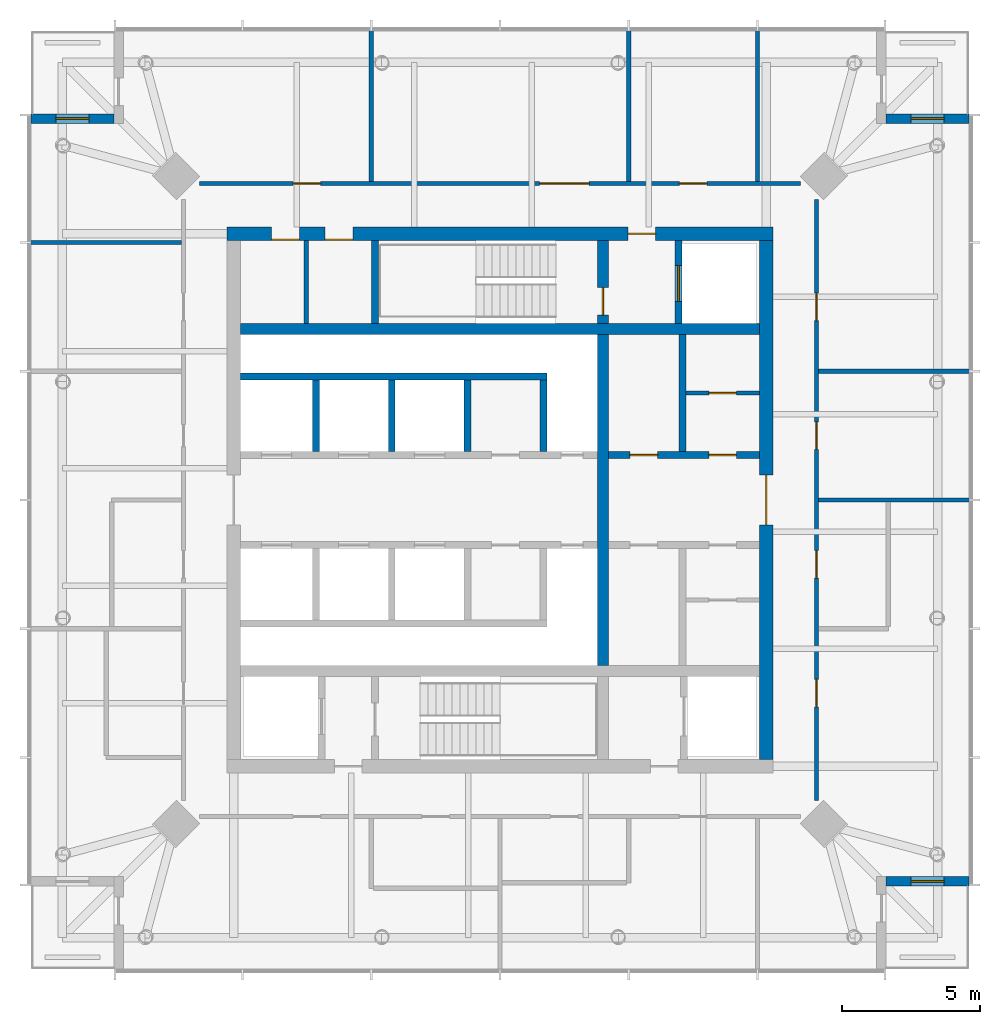
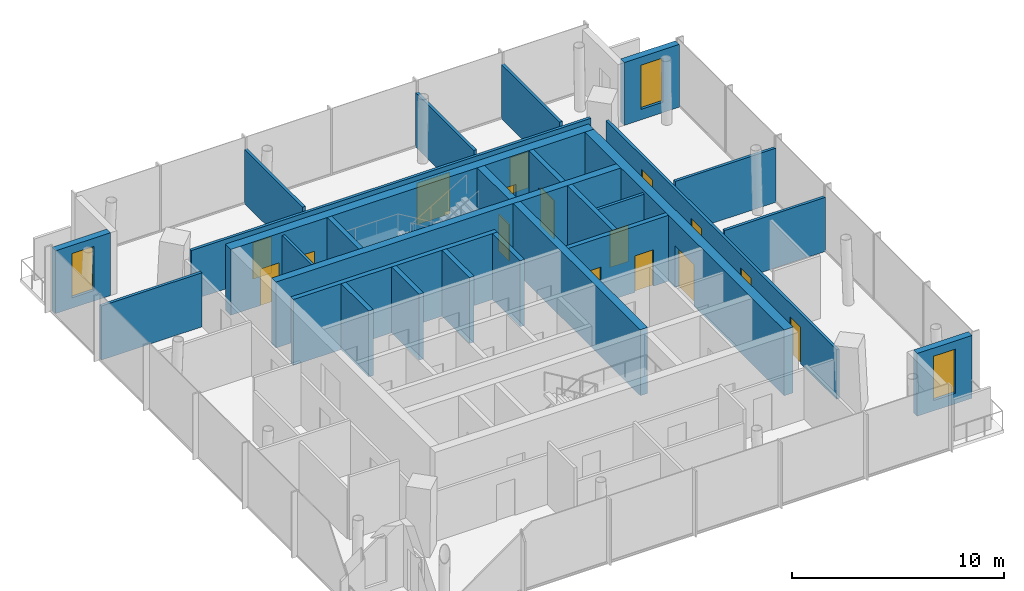
# One storey, part 5 of 7: 27 walls, 16 doors, 3 windows, 19 openings.
"""IFC4 building model written with IfcOpenShell, lengths in metres."""

from ifc_helpers import new_model, si_unit, direction, frame, frame_2d, origin, place, context, subcontext, project, spatial, rectangle, extrude, material, layer, layer_set, type_object, element, fill, save


model = new_model("IFC4")

# Units and contexts
model_context = context("Model", 3, precision=1e-05, world=origin(), true_north=direction((0.0, 1.0)))
body_context = subcontext(model_context, "Body", "Model", "MODEL_VIEW")
ifc_project = project(units=[si_unit("LENGTHUNIT", "METRE"), si_unit("AREAUNIT", "SQUARE_METRE"), si_unit("VOLUMEUNIT", "CUBIC_METRE"), si_unit("PLANEANGLEUNIT", "RADIAN"), si_unit("MASSUNIT", "GRAM", prefix="KILO")], contexts=[model_context])

# Site, building, storey
site_placement = place(None, origin())
site = spatial("IfcSite", under=ifc_project, at=site_placement, CompositionType="ELEMENT")
building_placement = place(site_placement, origin())
building = spatial("IfcBuilding", under=site, at=building_placement, Name="Ostroluk Exchange", CompositionType="ELEMENT")
storey_placement = place(building_placement, frame((0.0, 0.0, 275.60009765625)))
storey = spatial("IfcBuildingStorey", under=building, at=storey_placement, Name="L71", CompositionType="ELEMENT", Elevation=275.60009765625)

# Wall
ifc_material_1 = material(Name="Concrete blockwork", Category="masonry")
ifc_layer_1 = layer(ifc_material_1, 0.14990234375)
ifc_layer_set_1 = layer_set([ifc_layer_1], Name="Blockwork plant room wall 150")
wall_type_1 = type_object("IfcWallType", Name="Blockwork plant room wall 150", PredefinedType="SOLIDWALL", material=ifc_layer_set_1)
wall_1_placement = place(storey_placement, frame((37.97509765625, 52.39990234375, 0.0), z_axis=(0.0, 0.0, 1.0), x_axis=(0.0, 1.0, 0.0)))
element("IfcWall", 1, at=wall_1_placement, inside=storey, type_object=wall_type_1, Name="Core room wall", PredefinedType="SOLIDWALL", context=body_context, shape_type="SweptSolid", body=[
    extrude(rectangle(XDim=3.0, YDim=0.14990234375, at=frame_2d((1.5, 0.0))), origin(), (0.0, 0.0, 1.0), 3.619873046875),
])

# Wall, opening, door
wall_2_placement = place(storey_placement, frame((51.739990234375, 49.875, 0.0), z_axis=(0.0, 0.0, 1.0), x_axis=(1.0, 0.0, 0.0)))
wall_2 = element("IfcWall", 2, at=wall_2_placement, inside=storey, type_object=wall_type_1, Name="Core room wall", PredefinedType="SOLIDWALL", context=body_context, shape_type="SweptSolid", body=[
    extrude(rectangle(XDim=2.659912109375, YDim=0.14990234375, at=frame_2d((1.330078125, 0.0))), origin(), (0.0, 0.0, 1.0), 3.619873046875),
])
opening_1_placement = place(wall_2_placement, frame((0.830078125, 0.0, 0.0)))
opening_1 = element("IfcOpeningElement", 3, at=opening_1_placement, cuts=wall_2, Name="Opening FD60", PredefinedType="OPENING", context=body_context, shape_type="SweptSolid", body=[
    extrude(rectangle(XDim=1.0, YDim=2.10009765625, at=frame_2d((0.5, 1.050048828125))), frame((0.0, 0.0849609375, 0.0), z_axis=(0.0, -1.0, 0.0), x_axis=(1.0, 0.0, 0.0)), (0.0, 0.0, 1.0), 0.169921875),
])
ifc_material_2 = material(Name="Steel", Category="steel")
door_type_1 = type_object("IfcDoorType", Name="Fire door EI 60 1000 x 2100", OperationType="SINGLE_SWING_LEFT", PredefinedType="DOOR", material=ifc_material_2)
door_1_placement = place(opening_1_placement, origin())
door_1 = element("IfcDoor", 4, at=door_1_placement, inside=storey, type_object=door_type_1, Name="Store door", OperationType="SINGLE_SWING_RIGHT", OverallHeight=2.10009765625, OverallWidth=1.0, PredefinedType="DOOR", context=body_context, shape_type="SweptSolid", body=[
    extrude(rectangle(XDim=1.0, YDim=2.10009765625, at=frame_2d((0.5, 1.050048828125))), frame((0.0, 0.02490234375, 0.0), z_axis=(0.0, -1.0, 0.0), x_axis=(1.0, 0.0, 0.0)), (0.0, 0.0, 1.0), 0.050048828125),
])
fill(opening_1, door_1)

# Walls
ifc_material_3 = material(Name="Concrete C50/60", Category="concrete")
ifc_layer_2 = layer(ifc_material_3, 0.39990234375)
ifc_layer_set_2 = layer_set([ifc_layer_2], Name="Core cross wall 400 C50/60")
wall_type_2 = type_object("IfcWallType", Name="Core cross wall 400 C50/60", PredefinedType="SHEAR", material=ifc_layer_set_2)
wall_3_placement = place(storey_placement, frame((35.60009765625, 52.199951171875, 0.0), z_axis=(0.0, 0.0, 1.0), x_axis=(1.0, 0.0, 0.0)))
element("IfcWall", 5, at=wall_3_placement, inside=storey, type_object=wall_type_2, Name="T1 core wall XN", PredefinedType="SHEAR", context=body_context, shape_type="SweptSolid", body=[
    extrude(rectangle(XDim=18.7998046875, YDim=0.39990234375, at=frame_2d((9.39990234375, 0.0))), origin(), (0.0, 0.0, 1.0), 3.7998046875),
])
wall_4_placement = place(storey_placement, frame((48.72998046875, 40.0, 0.0), z_axis=(0.0, 0.0, 1.0), x_axis=(0.0, 1.0, 0.0)))
element("IfcWall", 6, at=wall_4_placement, inside=storey, type_object=wall_type_2, Name="T1 core wall YE2", PredefinedType="SHEAR", context=body_context, shape_type="SweptSolid", body=[
    extrude(rectangle(XDim=12.0, YDim=0.39990234375, at=frame_2d((6.0, 0.0))), origin(), (0.0, 0.0, 1.0), 3.7998046875),
])

# Wall, opening, door
wall_5_placement = place(storey_placement, frame((48.72998046875, 52.39990234375, 0.0), z_axis=(0.0, 0.0, 1.0), x_axis=(0.0, 1.0, 0.0)))
wall_5 = element("IfcWall", 7, at=wall_5_placement, inside=storey, type_object=wall_type_2, Name="T1 core wall YE3", PredefinedType="SHEAR", context=body_context, shape_type="SweptSolid", body=[
    extrude(rectangle(XDim=3.0, YDim=0.39990234375, at=frame_2d((1.5, 0.0))), origin(), (0.0, 0.0, 1.0), 3.7998046875),
])
opening_2_placement = place(wall_5_placement, frame((0.300048828125, 0.0, 0.0)))
opening_2 = element("IfcOpeningElement", 8, at=opening_2_placement, cuts=wall_5, Name="Opening FD60", PredefinedType="OPENING", context=body_context, shape_type="SweptSolid", body=[
    extrude(rectangle(XDim=1.0, YDim=2.10009765625, at=frame_2d((0.5, 1.050048828125))), frame((0.0, 0.2099609375, 0.0), z_axis=(0.0, -1.0, 0.0), x_axis=(1.0, 0.0, 0.0)), (0.0, 0.0, 1.0), 0.419921875),
])
door_2_placement = place(opening_2_placement, origin())
door_2 = element("IfcDoor", 9, at=door_2_placement, inside=storey, type_object=door_type_1, Name="Stair T1-S2 door", OperationType="SINGLE_SWING_LEFT", OverallHeight=2.10009765625, OverallWidth=1.0, PredefinedType="DOOR", context=body_context, shape_type="SweptSolid", body=[
    extrude(rectangle(XDim=1.0, YDim=2.10009765625, at=frame_2d((0.5, 1.050048828125))), frame((0.0, 0.02490234375, 0.0), z_axis=(0.0, -1.0, 0.0), x_axis=(1.0, 0.0, 0.0)), (0.0, 0.0, 1.0), 0.050048828125),
])
fill(opening_2, door_2)

# Wall
ifc_material_4 = material(Name="Concrete C40/50", Category="concrete")
ifc_layer_3 = layer(ifc_material_4, 0.25)
ifc_layer_set_3 = layer_set([ifc_layer_3], Name="Core shaft wall 250")
wall_type_3 = type_object("IfcWallType", Name="Core shaft wall 250", PredefinedType="SHEAR", material=ifc_layer_set_3)
wall_6_placement = place(storey_placement, frame((40.47509765625, 52.39990234375, 0.0), z_axis=(0.0, 0.0, 1.0), x_axis=(0.0, 1.0, 0.0)))
element("IfcWall", 10, at=wall_6_placement, inside=storey, type_object=wall_type_3, Name="Stair shaft wall", PredefinedType="SHEAR", context=body_context, shape_type="SweptSolid", body=[
    extrude(rectangle(XDim=3.0, YDim=0.25, at=frame_2d((1.5, 0.0))), origin(), (0.0, 0.0, 1.0), 3.7998046875),
])

# Wall, opening, door
wall_7_placement = place(storey_placement, frame((51.47509765625, 52.39990234375, 0.0), z_axis=(0.0, 0.0, 1.0), x_axis=(0.0, 1.0, 0.0)))
wall_7 = element("IfcWall", 11, at=wall_7_placement, inside=storey, type_object=wall_type_3, Name="Firefighting lift shaft wall", PredefinedType="SHEAR", context=body_context, shape_type="SweptSolid", body=[
    extrude(rectangle(XDim=3.0, YDim=0.25, at=frame_2d((1.5, 0.0))), origin(), (0.0, 0.0, 1.0), 3.7998046875),
])
opening_3_placement = place(wall_7_placement, frame((0.800048828125, 0.0, 0.0)))
opening_3 = element("IfcOpeningElement", 12, at=opening_3_placement, cuts=wall_7, Name="Opening LD2", PredefinedType="OPENING", context=body_context, shape_type="SweptSolid", body=[
    extrude(rectangle(XDim=1.300048828125, YDim=2.199951171875, at=frame_2d((0.64990234375, 1.10009765625))), frame((0.0, 0.135009765625, 0.0), z_axis=(0.0, -1.0, 0.0), x_axis=(1.0, 0.0, 0.0)), (0.0, 0.0, 1.0), 0.27001953125),
])
ifc_material_5 = material(Name="Stainless steel", Category="steel")
door_type_2 = type_object("IfcDoorType", Name="Lift landing door E 60 1300 x 2200", OperationType="DOUBLE_DOOR_SLIDING", PredefinedType="DOOR", material=ifc_material_5)
door_3_placement = place(opening_3_placement, origin())
door_3 = element("IfcDoor", 13, at=door_3_placement, inside=storey, type_object=door_type_2, Name="Lift FL2 landing door", OperationType="DOUBLE_DOOR_SLIDING", OverallHeight=2.199951171875, OverallWidth=1.300048828125, PredefinedType="DOOR", context=body_context, shape_type="SweptSolid", body=[
    extrude(rectangle(XDim=1.300048828125, YDim=2.199951171875, at=frame_2d((0.64990234375, 1.10009765625))), frame((0.0, 0.02490234375, 0.0), z_axis=(0.0, -1.0, 0.0), x_axis=(1.0, 0.0, 0.0)), (0.0, 0.0, 1.0), 0.050048828125),
])
fill(opening_3, door_3)

# Walls
for number, where, z_axis, x_axis, name in (
    (14, (38.324951171875, 47.75, 0.0), (0.0, 0.0, 1.0), (0.0, 1.0, 0.0), "Lift shaft wall"),
    (15, (41.074951171875, 47.75, 0.0), (0.0, 0.0, 1.0), (0.0, 1.0, 0.0), "Lift shaft wall"),
    (16, (43.824951171875, 47.75, 0.0), (0.0, 0.0, 1.0), (0.0, 1.0, 0.0), "Lift shaft wall"),
    (17, (46.574951171875, 47.75, 0.0), (0.0, 0.0, 1.0), (0.0, 1.0, 0.0), "Lift shaft wall"),
):
    element("IfcWall", number, at=place(storey_placement, frame(where, z_axis=z_axis, x_axis=x_axis)), inside=storey, type_object=wall_type_3, Name=name, PredefinedType="SHEAR", context=body_context, shape_type="SweptSolid", body=[
        extrude(rectangle(XDim=2.60009765625, YDim=0.25, at=frame_2d((1.300048828125, 0.0))), origin(), (0.0, 0.0, 1.0), 3.7998046875),
    ])
wall_8_placement = place(storey_placement, frame((35.60009765625, 50.47509765625, 0.0), z_axis=(0.0, 0.0, 1.0), x_axis=(1.0, 0.0, 0.0)))
element("IfcWall", 18, at=wall_8_placement, inside=storey, type_object=wall_type_3, Name="Lift shaft wall", PredefinedType="SHEAR", context=body_context, shape_type="SweptSolid", body=[
    extrude(rectangle(XDim=11.099853515625, YDim=0.25, at=frame_2d((5.5498046875, 0.0))), origin(), (0.0, 0.0, 1.0), 3.7998046875),
])
wall_9_placement = place(storey_placement, frame((51.614990234375, 47.75, 0.0), z_axis=(0.0, 0.0, 1.0), x_axis=(0.0, 1.0, 0.0)))
element("IfcWall", 19, at=wall_9_placement, inside=storey, type_object=wall_type_3, Name="Lift shaft wall", PredefinedType="SHEAR", context=body_context, shape_type="SweptSolid", body=[
    extrude(rectangle(XDim=4.25, YDim=0.25, at=frame_2d((2.125, 0.0))), origin(), (0.0, 0.0, 1.0), 3.7998046875),
])

# Wall, openings, doors
wall_10_placement = place(storey_placement, frame((48.929931640625, 47.625, 0.0), z_axis=(0.0, 0.0, 1.0), x_axis=(1.0, 0.0, 0.0)))
wall_10 = element("IfcWall", 20, at=wall_10_placement, inside=storey, type_object=wall_type_3, Name="Lift shaft front wall", PredefinedType="SHEAR", context=body_context, shape_type="SweptSolid", body=[
    extrude(rectangle(XDim=5.469970703125, YDim=0.25, at=frame_2d((2.73486328125, 0.0))), origin(), (0.0, 0.0, 1.0), 3.7998046875),
])
opening_4_placement = place(wall_10_placement, frame((0.780029296875, 0.0, 0.0)))
opening_4 = element("IfcOpeningElement", 21, at=opening_4_placement, cuts=wall_10, Name="Opening FD60", PredefinedType="OPENING", context=body_context, shape_type="SweptSolid", body=[
    extrude(rectangle(XDim=1.0, YDim=2.10009765625, at=frame_2d((0.5, 1.050048828125))), frame((0.0, 0.135009765625, 0.0), z_axis=(0.0, -1.0, 0.0), x_axis=(1.0, 0.0, 0.0)), (0.0, 0.0, 1.0), 0.27001953125),
])
opening_5_placement = place(wall_10_placement, frame((3.639892578125, 0.0, 0.0)))
opening_5 = element("IfcOpeningElement", 22, at=opening_5_placement, cuts=wall_10, Name="Opening FD60", PredefinedType="OPENING", context=body_context, shape_type="SweptSolid", body=[
    extrude(rectangle(XDim=1.0, YDim=2.10009765625, at=frame_2d((0.5, 1.050048828125))), frame((0.0, 0.135009765625, 0.0), z_axis=(0.0, -1.0, 0.0), x_axis=(1.0, 0.0, 0.0)), (0.0, 0.0, 1.0), 0.27001953125),
])
door_4_placement = place(opening_4_placement, origin())
door_4 = element("IfcDoor", 23, at=door_4_placement, inside=storey, type_object=door_type_1, Name="Core room door", OperationType="SINGLE_SWING_LEFT", OverallHeight=2.10009765625, OverallWidth=1.0, PredefinedType="DOOR", context=body_context, shape_type="SweptSolid", body=[
    extrude(rectangle(XDim=1.0, YDim=2.10009765625, at=frame_2d((0.5, 1.050048828125))), frame((0.0, 0.02490234375, 0.0), z_axis=(0.0, -1.0, 0.0), x_axis=(1.0, 0.0, 0.0)), (0.0, 0.0, 1.0), 0.050048828125),
])
fill(opening_4, door_4)
door_5_placement = place(opening_5_placement, origin())
door_5 = element("IfcDoor", 24, at=door_5_placement, inside=storey, type_object=door_type_1, Name="Core room door", OperationType="SINGLE_SWING_RIGHT", OverallHeight=2.10009765625, OverallWidth=1.0, PredefinedType="DOOR", context=body_context, shape_type="SweptSolid", body=[
    extrude(rectangle(XDim=1.0, YDim=2.10009765625, at=frame_2d((0.5, 1.050048828125))), frame((0.0, 0.02490234375, 0.0), z_axis=(0.0, -1.0, 0.0), x_axis=(1.0, 0.0, 0.0)), (0.0, 0.0, 1.0), 0.050048828125),
])
fill(opening_5, door_5)

ifc_material_6 = material(Name="Concrete C50/60", Category="concrete")
ifc_layer_4 = layer(ifc_material_6, 0.5)
ifc_layer_set_4 = layer_set([ifc_layer_4], Name="Core wall 500 C50/60")
wall_type_4 = type_object("IfcWallType", Name="Core wall 500 C50/60", PredefinedType="SHEAR", material=ifc_layer_set_4)
wall_11_placement = place(storey_placement, frame((35.10009765625, 55.64990234375, 0.0), z_axis=(0.0, 0.0, 1.0), x_axis=(1.0, 0.0, 0.0)))
wall_11 = element("IfcWall", 25, at=wall_11_placement, inside=storey, type_object=wall_type_4, Name="T1 core wall N", PredefinedType="SHEAR", context=body_context, shape_type="SweptSolid", body=[
    extrude(rectangle(XDim=19.7998046875, YDim=0.5, at=frame_2d((9.89990234375, 0.0))), origin(), (0.0, 0.0, 1.0), 3.7998046875),
])
opening_6_placement = place(wall_11_placement, frame((14.5400390625, 0.0, 0.0)))
opening_6 = element("IfcOpeningElement", 26, at=opening_6_placement, cuts=wall_11, Name="Opening FD60", PredefinedType="OPENING", context=body_context, shape_type="SweptSolid", body=[
    extrude(rectangle(XDim=1.0, YDim=2.10009765625, at=frame_2d((0.5, 1.050048828125))), frame((0.0, 0.260009765625, 0.0), z_axis=(0.0, -1.0, 0.0), x_axis=(1.0, 0.0, 0.0)), (0.0, 0.0, 1.0), 0.52001953125),
])
opening_7_placement = place(wall_11_placement, frame((1.625, 0.0, 0.0)))
opening_7 = element("IfcOpeningElement", 27, at=opening_7_placement, cuts=wall_11, Name="Opening FD60", PredefinedType="OPENING", context=body_context, shape_type="SweptSolid", body=[
    extrude(rectangle(XDim=1.0, YDim=2.10009765625, at=frame_2d((0.5, 1.050048828125))), frame((0.0, 0.260009765625, 0.0), z_axis=(0.0, -1.0, 0.0), x_axis=(1.0, 0.0, 0.0)), (0.0, 0.0, 1.0), 0.52001953125),
])
opening_8_placement = place(wall_11_placement, frame((3.5625, 0.0, 0.0)))
opening_8 = element("IfcOpeningElement", 28, at=opening_8_placement, cuts=wall_11, Name="Opening FD60", PredefinedType="OPENING", context=body_context, shape_type="SweptSolid", body=[
    extrude(rectangle(XDim=1.0, YDim=2.10009765625, at=frame_2d((0.5, 1.050048828125))), frame((0.0, 0.260009765625, 0.0), z_axis=(0.0, -1.0, 0.0), x_axis=(1.0, 0.0, 0.0)), (0.0, 0.0, 1.0), 0.52001953125),
])
door_6_placement = place(opening_6_placement, origin())
door_6 = element("IfcDoor", 29, at=door_6_placement, inside=storey, type_object=door_type_1, Name="Firefighting lobby door", OperationType="SINGLE_SWING_RIGHT", OverallHeight=2.10009765625, OverallWidth=1.0, PredefinedType="DOOR", context=body_context, shape_type="SweptSolid", body=[
    extrude(rectangle(XDim=1.0, YDim=2.10009765625, at=frame_2d((0.5, 1.050048828125))), frame((0.0, 0.02490234375, 0.0), z_axis=(0.0, -1.0, 0.0), x_axis=(1.0, 0.0, 0.0)), (0.0, 0.0, 1.0), 0.050048828125),
])
fill(opening_6, door_6)
door_7_placement = place(opening_7_placement, origin())
door_7 = element("IfcDoor", 30, at=door_7_placement, inside=storey, type_object=door_type_1, Name="Tea point door", OperationType="SINGLE_SWING_LEFT", OverallHeight=2.10009765625, OverallWidth=1.0, PredefinedType="DOOR", context=body_context, shape_type="SweptSolid", body=[
    extrude(rectangle(XDim=1.0, YDim=2.10009765625, at=frame_2d((0.5, 1.050048828125))), frame((0.0, -0.18994140625, 0.0), z_axis=(0.0, -1.0, 0.0), x_axis=(1.0, 0.0, 0.0)), (0.0, 0.0, 1.0), 0.050048828125),
])
fill(opening_7, door_7)
door_8_placement = place(opening_8_placement, origin())
door_8 = element("IfcDoor", 31, at=door_8_placement, inside=storey, type_object=door_type_1, Name="Print and post room door", OperationType="SINGLE_SWING_LEFT", OverallHeight=2.10009765625, OverallWidth=1.0, PredefinedType="DOOR", context=body_context, shape_type="SweptSolid", body=[
    extrude(rectangle(XDim=1.0, YDim=2.10009765625, at=frame_2d((0.5, 1.050048828125))), frame((0.0, -0.18994140625, 0.0), z_axis=(0.0, -1.0, 0.0), x_axis=(1.0, 0.0, 0.0)), (0.0, 0.0, 1.0), 0.050048828125),
])
fill(opening_8, door_8)

# Wall, opening, door
wall_12_placement = place(storey_placement, frame((54.64990234375, 36.60009765625, 0.0), z_axis=(0.0, 0.0, 1.0), x_axis=(0.0, 1.0, 0.0)))
wall_12 = element("IfcWall", 32, at=wall_12_placement, inside=storey, type_object=wall_type_4, Name="T1 core wall E", PredefinedType="SHEAR", context=body_context, shape_type="SweptSolid", body=[
    extrude(rectangle(XDim=18.7998046875, YDim=0.5, at=frame_2d((9.39990234375, 0.0))), origin(), (0.0, 0.0, 1.0), 3.7998046875),
])
opening_9_placement = place(wall_12_placement, frame((8.5, 0.0, 0.0)))
opening_9 = element("IfcOpeningElement", 33, at=opening_9_placement, cuts=wall_12, Name="Opening FD30D", PredefinedType="OPENING", context=body_context, shape_type="SweptSolid", body=[
    extrude(rectangle(XDim=1.800048828125, YDim=2.39990234375, at=frame_2d((0.89990234375, 1.199951171875))), frame((0.0, 0.260009765625, 0.0), z_axis=(0.0, -1.0, 0.0), x_axis=(1.0, 0.0, 0.0)), (0.0, 0.0, 1.0), 0.52001953125),
])
ifc_material_7 = material(Name="Timber", Category="wood")
door_type_3 = type_object("IfcDoorType", Name="Lobby double door EI 30 1800 x 2400", OperationType="DOUBLE_DOOR_SINGLE_SWING", PredefinedType="DOOR", material=ifc_material_7)
door_9_placement = place(opening_9_placement, origin())
door_9 = element("IfcDoor", 34, at=door_9_placement, inside=storey, type_object=door_type_3, Name="Lift lobby doors", OperationType="DOUBLE_DOOR_SINGLE_SWING", OverallHeight=2.39990234375, OverallWidth=1.800048828125, PredefinedType="DOOR", context=body_context, shape_type="SweptSolid", body=[
    extrude(rectangle(XDim=1.800048828125, YDim=2.39990234375, at=frame_2d((0.89990234375, 1.199951171875))), frame((0.0, 0.02490234375, 0.0), z_axis=(0.0, -1.0, 0.0), x_axis=(1.0, 0.0, 0.0)), (0.0, 0.0, 1.0), 0.050048828125),
])
fill(opening_9, door_9)

# Wall, opening, window
ifc_material_8 = material(Name="Limestone", Category="masonry")
ifc_layer_5 = layer(ifc_material_8, 0.35009765625)
ifc_layer_set_5 = layer_set([ifc_layer_5], Name="Limestone facade wall 350")
wall_type_5 = type_object("IfcWallType", Name="Limestone facade wall 350", PredefinedType="SOLIDWALL", material=ifc_layer_set_5)
wall_13_placement = place(storey_placement, frame((59.0, 32.175048828125, 0.0), z_axis=(0.0, 0.0, 1.0), x_axis=(1.0, 0.0, 0.0)))
wall_13 = element("IfcWall", 35, at=wall_13_placement, inside=storey, type_object=wall_type_5, Name="Office tower SE corner wall L71 b", PredefinedType="SOLIDWALL", context=body_context, shape_type="SweptSolid", body=[
    extrude(rectangle(XDim=3.0, YDim=0.35009765625, at=frame_2d((1.5, 0.0))), origin(), (0.0, 0.0, 1.0), 3.619873046875),
])
opening_10_placement = place(wall_13_placement, frame((0.89990234375, 0.0, 0.60009765625)))
opening_10 = element("IfcOpeningElement", 36, at=opening_10_placement, cuts=wall_13, Name="Opening WN-L1", PredefinedType="OPENING", context=body_context, shape_type="SweptSolid", body=[
    extrude(rectangle(XDim=1.199951171875, YDim=2.550048828125, at=frame_2d((0.60009765625, 1.27490234375))), frame((0.0, 0.18505859375, 0.0), z_axis=(0.0, -1.0, 0.0), x_axis=(1.0, 0.0, 0.0)), (0.0, 0.0, 1.0), 0.3701171875),
])
ifc_material_9 = material(Name="Laminated clear glass", Category="glass")
window_type = type_object("IfcWindowType", Name="Lancet window 1200 x 2550", PartitioningType="SINGLE_PANEL", PredefinedType="WINDOW", material=ifc_material_9)
window_1_placement = place(opening_10_placement, origin())
window_1 = element("IfcWindow", 37, at=window_1_placement, inside=storey, type_object=window_type, Name="Office tower SE lancet window L71", OverallHeight=2.550048828125, OverallWidth=1.199951171875, PartitioningType="SINGLE_PANEL", PredefinedType="WINDOW", context=body_context, shape_type="SweptSolid", body=[
    extrude(rectangle(XDim=1.199951171875, YDim=2.550048828125, at=frame_2d((0.60009765625, 1.27490234375))), frame((0.0, 0.030029296875, 0.0), z_axis=(0.0, -1.0, 0.0), x_axis=(1.0, 0.0, 0.0)), (0.0, 0.0, 1.0), 0.06005859375),
])
fill(opening_10, window_1)

wall_14_placement = place(storey_placement, frame((59.0, 59.824951171875, 0.0), z_axis=(0.0, 0.0, 1.0), x_axis=(1.0, 0.0, 0.0)))
wall_14 = element("IfcWall", 38, at=wall_14_placement, inside=storey, type_object=wall_type_5, Name="Office tower NE corner wall L71 b", PredefinedType="SOLIDWALL", context=body_context, shape_type="SweptSolid", body=[
    extrude(rectangle(XDim=3.0, YDim=0.35009765625, at=frame_2d((1.5, 0.0))), origin(), (0.0, 0.0, 1.0), 3.619873046875),
])
opening_11_placement = place(wall_14_placement, frame((0.89990234375, 0.0, 0.60009765625)))
opening_11 = element("IfcOpeningElement", 39, at=opening_11_placement, cuts=wall_14, Name="Opening WN-L1", PredefinedType="OPENING", context=body_context, shape_type="SweptSolid", body=[
    extrude(rectangle(XDim=1.199951171875, YDim=2.550048828125, at=frame_2d((0.60009765625, 1.27490234375))), frame((0.0, 0.18505859375, 0.0), z_axis=(0.0, -1.0, 0.0), x_axis=(1.0, 0.0, 0.0)), (0.0, 0.0, 1.0), 0.3701171875),
])
window_2_placement = place(opening_11_placement, origin())
window_2 = element("IfcWindow", 40, at=window_2_placement, inside=storey, type_object=window_type, Name="Office tower NE lancet window L71", OverallHeight=2.550048828125, OverallWidth=1.199951171875, PartitioningType="SINGLE_PANEL", PredefinedType="WINDOW", context=body_context, shape_type="SweptSolid", body=[
    extrude(rectangle(XDim=1.199951171875, YDim=2.550048828125, at=frame_2d((0.60009765625, 1.27490234375))), frame((0.0, 0.030029296875, 0.0), z_axis=(0.0, -1.0, 0.0), x_axis=(1.0, 0.0, 0.0)), (0.0, 0.0, 1.0), 0.06005859375),
])
fill(opening_11, window_2)

wall_15_placement = place(storey_placement, frame((31.0, 59.824951171875, 0.0), z_axis=(0.0, 0.0, 1.0), x_axis=(-1.0, 0.0, 0.0)))
wall_15 = element("IfcWall", 41, at=wall_15_placement, inside=storey, type_object=wall_type_5, Name="Office tower NW corner wall L71 b", PredefinedType="SOLIDWALL", context=body_context, shape_type="SweptSolid", body=[
    extrude(rectangle(XDim=3.0, YDim=0.35009765625, at=frame_2d((1.5, 0.0))), origin(), (0.0, 0.0, 1.0), 3.619873046875),
])
opening_12_placement = place(wall_15_placement, frame((0.89990234375, 0.0, 0.60009765625)))
opening_12 = element("IfcOpeningElement", 42, at=opening_12_placement, cuts=wall_15, Name="Opening WN-L1", PredefinedType="OPENING", context=body_context, shape_type="SweptSolid", body=[
    extrude(rectangle(XDim=1.199951171875, YDim=2.550048828125, at=frame_2d((0.60009765625, 1.27490234375))), frame((0.0, 0.18505859375, 0.0), z_axis=(0.0, -1.0, 0.0), x_axis=(1.0, 0.0, 0.0)), (0.0, 0.0, 1.0), 0.3701171875),
])
window_3_placement = place(opening_12_placement, origin())
window_3 = element("IfcWindow", 43, at=window_3_placement, inside=storey, type_object=window_type, Name="Office tower NW lancet window L71", OverallHeight=2.550048828125, OverallWidth=1.199951171875, PartitioningType="SINGLE_PANEL", PredefinedType="WINDOW", context=body_context, shape_type="SweptSolid", body=[
    extrude(rectangle(XDim=1.199951171875, YDim=2.550048828125, at=frame_2d((0.60009765625, 1.27490234375))), frame((0.0, 0.030029296875, 0.0), z_axis=(0.0, -1.0, 0.0), x_axis=(1.0, 0.0, 0.0)), (0.0, 0.0, 1.0), 0.06005859375),
])
fill(opening_12, window_3)

# Wall, openings, doors
ifc_material_10 = material(Name="Gypsum plasterboard partition", Category="gypsum")
ifc_layer_6 = layer(ifc_material_10, 0.14990234375)
ifc_layer_set_6 = layer_set([ifc_layer_6], Name="Plasterboard partition 150")
wall_type_6 = type_object("IfcWallType", Name="Plasterboard partition 150", PredefinedType="PARTITIONING", material=ifc_layer_set_6)
wall_16_placement = place(storey_placement, frame((56.47509765625, 35.11279296875, 0.0), z_axis=(0.0, 0.0, 1.0), x_axis=(0.0, 1.0, 0.0)))
wall_16 = element("IfcWall", 44, at=wall_16_placement, inside=storey, type_object=wall_type_6, Name="Partition", PredefinedType="PARTITIONING", context=body_context, shape_type="SweptSolid", body=[
    extrude(rectangle(XDim=21.7744140625, YDim=0.14990234375, at=frame_2d((10.88720703125, 0.0))), origin(), (0.0, 0.0, 1.0), 2.866943359375),
])
opening_13_placement = place(wall_16_placement, frame((3.38720703125, 0.0, 0.0)))
opening_13 = element("IfcOpeningElement", 45, at=opening_13_placement, cuts=wall_16, Name="Opening D-03", PredefinedType="OPENING", context=body_context, shape_type="SweptSolid", body=[
    extrude(rectangle(XDim=1.0, YDim=2.10009765625, at=frame_2d((0.5, 1.050048828125))), frame((0.0, 0.0849609375, 0.0), z_axis=(0.0, -1.0, 0.0), x_axis=(1.0, 0.0, 0.0)), (0.0, 0.0, 1.0), 0.169921875),
])
opening_14_placement = place(wall_16_placement, frame((8.053955078125, 0.0, 0.0)))
opening_14 = element("IfcOpeningElement", 46, at=opening_14_placement, cuts=wall_16, Name="Opening D-03", PredefinedType="OPENING", context=body_context, shape_type="SweptSolid", body=[
    extrude(rectangle(XDim=1.0, YDim=2.10009765625, at=frame_2d((0.5, 1.050048828125))), frame((0.0, 0.0849609375, 0.0), z_axis=(0.0, -1.0, 0.0), x_axis=(1.0, 0.0, 0.0)), (0.0, 0.0, 1.0), 0.169921875),
])
opening_15_placement = place(wall_16_placement, frame((12.720458984375, 0.0, 0.0)))
opening_15 = element("IfcOpeningElement", 47, at=opening_15_placement, cuts=wall_16, Name="Opening D-03", PredefinedType="OPENING", context=body_context, shape_type="SweptSolid", body=[
    extrude(rectangle(XDim=1.0, YDim=2.10009765625, at=frame_2d((0.5, 1.050048828125))), frame((0.0, 0.0849609375, 0.0), z_axis=(0.0, -1.0, 0.0), x_axis=(1.0, 0.0, 0.0)), (0.0, 0.0, 1.0), 0.169921875),
])
opening_16_placement = place(wall_16_placement, frame((17.38720703125, 0.0, 0.0)))
opening_16 = element("IfcOpeningElement", 48, at=opening_16_placement, cuts=wall_16, Name="Opening D-03", PredefinedType="OPENING", context=body_context, shape_type="SweptSolid", body=[
    extrude(rectangle(XDim=1.0, YDim=2.10009765625, at=frame_2d((0.5, 1.050048828125))), frame((0.0, 0.0849609375, 0.0), z_axis=(0.0, -1.0, 0.0), x_axis=(1.0, 0.0, 0.0)), (0.0, 0.0, 1.0), 0.169921875),
])
ifc_material_11 = material(Name="Timber", Category="wood")
door_type_4 = type_object("IfcDoorType", Name="Internal door 1000 x 2100", OperationType="SINGLE_SWING_LEFT", PredefinedType="DOOR", material=ifc_material_11)
door_10_placement = place(opening_13_placement, origin())
door_10 = element("IfcDoor", 49, at=door_10_placement, inside=storey, type_object=door_type_4, Name="Corner office door", OperationType="SINGLE_SWING_LEFT", OverallHeight=2.10009765625, OverallWidth=1.0, PredefinedType="DOOR", context=body_context, shape_type="SweptSolid", body=[
    extrude(rectangle(XDim=1.0, YDim=2.10009765625, at=frame_2d((0.5, 1.050048828125))), frame((0.0, 0.02490234375, 0.0), z_axis=(0.0, -1.0, 0.0), x_axis=(1.0, 0.0, 0.0)), (0.0, 0.0, 1.0), 0.050048828125),
])
fill(opening_13, door_10)
door_11_placement = place(opening_14_placement, origin())
door_11 = element("IfcDoor", 50, at=door_11_placement, inside=storey, type_object=door_type_4, Name="Pantry door", OperationType="SINGLE_SWING_LEFT", OverallHeight=2.10009765625, OverallWidth=1.0, PredefinedType="DOOR", context=body_context, shape_type="SweptSolid", body=[
    extrude(rectangle(XDim=1.0, YDim=2.10009765625, at=frame_2d((0.5, 1.050048828125))), frame((0.0, 0.02490234375, 0.0), z_axis=(0.0, -1.0, 0.0), x_axis=(1.0, 0.0, 0.0)), (0.0, 0.0, 1.0), 0.050048828125),
])
fill(opening_14, door_11)
door_12_placement = place(opening_15_placement, origin())
door_12 = element("IfcDoor", 51, at=door_12_placement, inside=storey, type_object=door_type_4, Name="Meeting room door", OperationType="SINGLE_SWING_RIGHT", OverallHeight=2.10009765625, OverallWidth=1.0, PredefinedType="DOOR", context=body_context, shape_type="SweptSolid", body=[
    extrude(rectangle(XDim=1.0, YDim=2.10009765625, at=frame_2d((0.5, 1.050048828125))), frame((0.0, 0.02490234375, 0.0), z_axis=(0.0, -1.0, 0.0), x_axis=(1.0, 0.0, 0.0)), (0.0, 0.0, 1.0), 0.050048828125),
])
fill(opening_15, door_12)
door_13_placement = place(opening_16_placement, origin())
door_13 = element("IfcDoor", 52, at=door_13_placement, inside=storey, type_object=door_type_4, Name="Print and store room door", OperationType="SINGLE_SWING_RIGHT", OverallHeight=2.10009765625, OverallWidth=1.0, PredefinedType="DOOR", context=body_context, shape_type="SweptSolid", body=[
    extrude(rectangle(XDim=1.0, YDim=2.10009765625, at=frame_2d((0.5, 1.050048828125))), frame((0.0, 0.02490234375, 0.0), z_axis=(0.0, -1.0, 0.0), x_axis=(1.0, 0.0, 0.0)), (0.0, 0.0, 1.0), 0.050048828125),
])
fill(opening_16, door_13)

# Walls
for number, where, z_axis, x_axis, name in (
    (53, (56.550048828125, 46.0, 0.0), (0.0, 0.0, 1.0), (1.0, 0.0, 0.0), "Partition"),
    (54, (56.550048828125, 50.666748046875, 0.0), (0.0, 0.0, 1.0), (1.0, 0.0, 0.0), "Partition"),
):
    element("IfcWall", number, at=place(storey_placement, frame(where, z_axis=z_axis, x_axis=x_axis)), inside=storey, type_object=wall_type_6, Name=name, PredefinedType="PARTITIONING", context=body_context, shape_type="SweptSolid", body=[
        extrude(rectangle(XDim=5.489990234375, YDim=0.14990234375, at=frame_2d((2.7451171875, 0.0))), origin(), (0.0, 0.0, 1.0), 3.119873046875),
    ])

# Wall, openings, doors
wall_17_placement = place(storey_placement, frame((55.88720703125, 57.47509765625, 0.0), z_axis=(0.0, 0.0, 1.0), x_axis=(-1.0, 0.0, 0.0)))
wall_17 = element("IfcWall", 55, at=wall_17_placement, inside=storey, type_object=wall_type_6, Name="Partition", PredefinedType="PARTITIONING", context=body_context, shape_type="SweptSolid", body=[
    extrude(rectangle(XDim=21.7744140625, YDim=0.14990234375, at=frame_2d((10.88720703125, 0.0))), origin(), (0.0, 0.0, 1.0), 2.866943359375),
])
opening_17_placement = place(wall_17_placement, frame((3.38720703125, 0.0, 0.0)))
opening_17 = element("IfcOpeningElement", 56, at=opening_17_placement, cuts=wall_17, Name="Opening D-03", PredefinedType="OPENING", context=body_context, shape_type="SweptSolid", body=[
    extrude(rectangle(XDim=1.0, YDim=2.10009765625, at=frame_2d((0.5, 1.050048828125))), frame((0.0, 0.0849609375, 0.0), z_axis=(0.0, -1.0, 0.0), x_axis=(1.0, 0.0, 0.0)), (0.0, 0.0, 1.0), 0.169921875),
])
opening_18_placement = place(wall_17_placement, frame((7.65380859375, 0.0, 0.0)))
opening_18 = element("IfcOpeningElement", 57, at=opening_18_placement, cuts=wall_17, Name="Opening D-04", PredefinedType="OPENING", context=body_context, shape_type="SweptSolid", body=[
    extrude(rectangle(XDim=1.800048828125, YDim=2.39990234375, at=frame_2d((0.89990234375, 1.199951171875))), frame((0.0, 0.0849609375, 0.0), z_axis=(0.0, -1.0, 0.0), x_axis=(1.0, 0.0, 0.0)), (0.0, 0.0, 1.0), 0.169921875),
])
opening_19_placement = place(wall_17_placement, frame((17.38720703125, 0.0, 0.0)))
opening_19 = element("IfcOpeningElement", 58, at=opening_19_placement, cuts=wall_17, Name="Opening D-03", PredefinedType="OPENING", context=body_context, shape_type="SweptSolid", body=[
    extrude(rectangle(XDim=1.0, YDim=2.10009765625, at=frame_2d((0.5, 1.050048828125))), frame((0.0, 0.0849609375, 0.0), z_axis=(0.0, -1.0, 0.0), x_axis=(1.0, 0.0, 0.0)), (0.0, 0.0, 1.0), 0.169921875),
])
ifc_material_12 = material(Name="Timber", Category="wood")
door_type_5 = type_object("IfcDoorType", Name="Double door 1800 x 2400", OperationType="DOUBLE_DOOR_SINGLE_SWING", PredefinedType="DOOR", material=ifc_material_12)
door_14_placement = place(opening_18_placement, origin())
door_14 = element("IfcDoor", 59, at=door_14_placement, inside=storey, type_object=door_type_5, Name="Boardroom door", OperationType="DOUBLE_DOOR_SINGLE_SWING", OverallHeight=2.39990234375, OverallWidth=1.800048828125, PredefinedType="DOOR", context=body_context, shape_type="SweptSolid", body=[
    extrude(rectangle(XDim=1.800048828125, YDim=2.39990234375, at=frame_2d((0.89990234375, 1.199951171875))), frame((0.0, 0.02490234375, 0.0), z_axis=(0.0, -1.0, 0.0), x_axis=(1.0, 0.0, 0.0)), (0.0, 0.0, 1.0), 0.050048828125),
])
fill(opening_18, door_14)
door_15_placement = place(opening_17_placement, origin())
door_15 = element("IfcDoor", 60, at=door_15_placement, inside=storey, type_object=door_type_4, Name="Office door", OperationType="SINGLE_SWING_LEFT", OverallHeight=2.10009765625, OverallWidth=1.0, PredefinedType="DOOR", context=body_context, shape_type="SweptSolid", body=[
    extrude(rectangle(XDim=1.0, YDim=2.10009765625, at=frame_2d((0.5, 1.050048828125))), frame((0.0, 0.02490234375, 0.0), z_axis=(0.0, -1.0, 0.0), x_axis=(1.0, 0.0, 0.0)), (0.0, 0.0, 1.0), 0.050048828125),
])
fill(opening_17, door_15)
door_16_placement = place(opening_19_placement, origin())
door_16 = element("IfcDoor", 61, at=door_16_placement, inside=storey, type_object=door_type_4, Name="Office door", OperationType="SINGLE_SWING_RIGHT", OverallHeight=2.10009765625, OverallWidth=1.0, PredefinedType="DOOR", context=body_context, shape_type="SweptSolid", body=[
    extrude(rectangle(XDim=1.0, YDim=2.10009765625, at=frame_2d((0.5, 1.050048828125))), frame((0.0, 0.02490234375, 0.0), z_axis=(0.0, -1.0, 0.0), x_axis=(1.0, 0.0, 0.0)), (0.0, 0.0, 1.0), 0.050048828125),
])
fill(opening_19, door_16)

# Walls
for number, where, z_axis, x_axis, name in (
    (62, (54.333251953125, 57.550048828125, 0.0), (0.0, 0.0, 1.0), (0.0, 1.0, 0.0), "Partition"),
    (63, (49.666748046875, 57.550048828125, 0.0), (0.0, 0.0, 1.0), (0.0, 1.0, 0.0), "Partition"),
    (64, (40.333251953125, 57.550048828125, 0.0), (0.0, 0.0, 1.0), (0.0, 1.0, 0.0), "Partition"),
    (65, (33.449951171875, 55.333251953125, 0.0), (0.0, 0.0, 1.0), (-1.0, 0.0, 0.0), "Partition"),
):
    element("IfcWall", number, at=place(storey_placement, frame(where, z_axis=z_axis, x_axis=x_axis)), inside=storey, type_object=wall_type_6, Name=name, PredefinedType="PARTITIONING", context=body_context, shape_type="SweptSolid", body=[
        extrude(rectangle(XDim=5.489990234375, YDim=0.14990234375, at=frame_2d((2.7451171875, 0.0))), origin(), (0.0, 0.0, 1.0), 3.119873046875),
    ])

save(model, "model.ifc")
